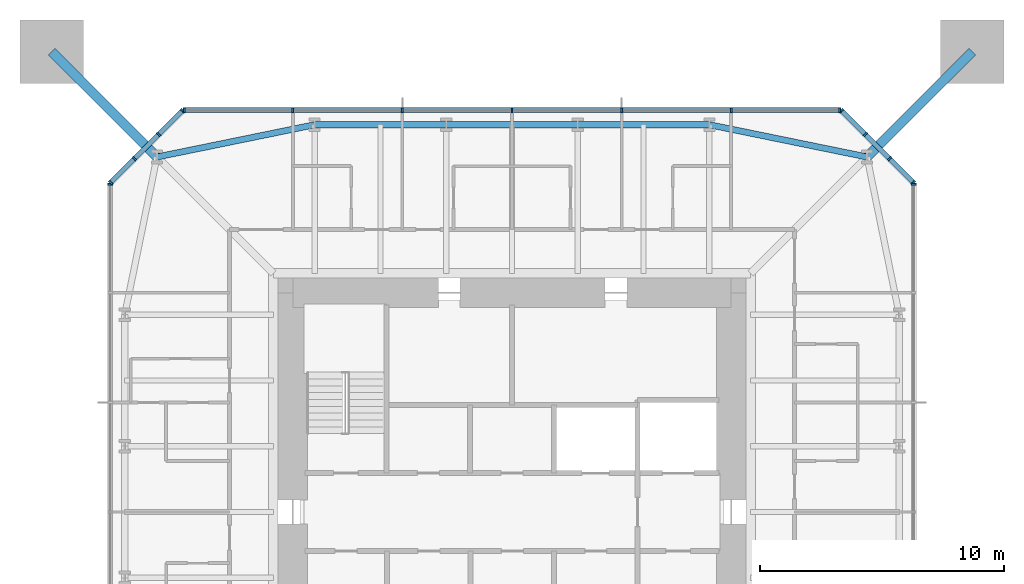
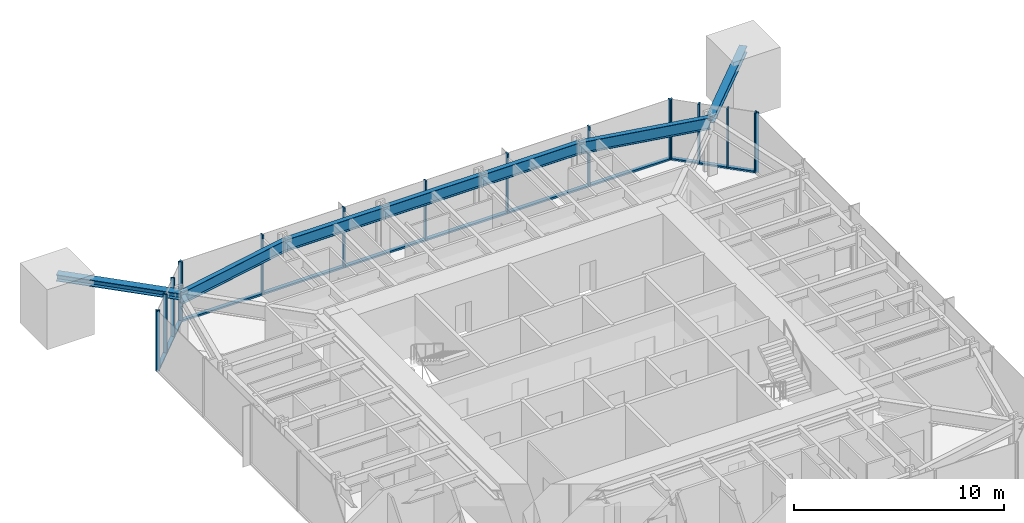
# One storey, part 4 of 10: 31 members, 5 beams, 5 elements without a shape of their own.
"""IFC4 building model written with IfcOpenShell, lengths in metres."""

from ifc_helpers import new_model, si_unit, direction, frame, origin, origin_2d, place, context, subcontext, project, spatial, rectangle, i_section, extrude, material, material_profile, profile_set, type_object, element, aggregate, save


model = new_model("IFC4")

# Units and contexts
model_context = context("Model", 3, precision=1e-05, world=origin(), true_north=direction((0.0, 1.0)))
body_context = subcontext(model_context, "Body", "Model", "MODEL_VIEW")
ifc_project = project(units=[si_unit("LENGTHUNIT", "METRE"), si_unit("AREAUNIT", "SQUARE_METRE"), si_unit("VOLUMEUNIT", "CUBIC_METRE"), si_unit("PLANEANGLEUNIT", "RADIAN"), si_unit("MASSUNIT", "GRAM", prefix="KILO")], contexts=[model_context])

# Site, building, storey
site_placement = place(None, origin())
site = spatial("IfcSite", under=ifc_project, at=site_placement, CompositionType="ELEMENT")
building_placement = place(site_placement, origin())
building = spatial("IfcBuilding", under=site, at=building_placement, Name="Iwan Alto Co-Living Towers", CompositionType="ELEMENT")
storey_placement = place(building_placement, frame((0.0, 0.0, 225.5)))
storey = spatial("IfcBuildingStorey", under=building, at=storey_placement, Name="L61", CompositionType="ELEMENT", Elevation=225.5)

# Curtain wall, member
ifc_material_1 = material(Name="Bronze aluminium unitised frame", Category="aluminium")
curtain_wall_type_1 = type_object("IfcCurtainWallType", Name="CURTAIN WALL CW-A", PredefinedType="NOTDEFINED", material=ifc_material_1)
curtain_wall_1_placement = place(storey_placement, origin())
curtain_wall_1 = element("IfcCurtainWall", 1, at=curtain_wall_1_placement, inside=storey, type_object=curtain_wall_type_1, Name="T1 curtain wall E L61", PredefinedType="NOTDEFINED")
ifc_material_2 = material(Name="Aluminium 6063-T6 bronze anodised", Category="aluminium")
ifc_material_profile_1 = material_profile(ifc_material_2, rectangle(XDim=0.199951171875, YDim=0.080078125, at=origin_2d()), Name="AL 80X200")
ifc_profile_set_1 = profile_set([ifc_material_profile_1], Name="Aluminium 6063-T6 bronze anodised")
member_type_1 = type_object("IfcMemberType", Name="CW-A MULLION 80X200", PredefinedType="MULLION", material=ifc_profile_set_1)
member_1_placement = place(storey_placement, frame((16.5, 13.4599609375, 0.0), z_axis=(0.0, 0.0, 1.0), x_axis=(-1.0, 0.0, 0.0)))
member_1 = element("IfcMember", 2, at=member_1_placement, type_object=member_type_1, Name="CW-A mullion 7", PredefinedType="MULLION", context=body_context, shape_type="SweptSolid", body=[
    extrude(rectangle(XDim=0.199951171875, YDim=0.080078125, at=origin_2d()), origin(), (0.0, 0.0, 1.0), 3.5),
])
aggregate(curtain_wall_1, [member_1])

# Curtain wall, members
curtain_wall_2_placement = place(storey_placement, origin())
curtain_wall_2 = element("IfcCurtainWall", 3, at=curtain_wall_2_placement, inside=storey, type_object=curtain_wall_type_1, Name="T1 curtain wall N L61", PredefinedType="NOTDEFINED")
member_2_placement = place(storey_placement, frame((13.4599609375, 16.5, 0.0), z_axis=(0.0, 0.0, 1.0), x_axis=(0.0, -1.0, 0.0)))
member_2 = element("IfcMember", 4, at=member_2_placement, type_object=member_type_1, Name="CW-A mullion 1", PredefinedType="MULLION", context=body_context, shape_type="SweptSolid", body=[
    extrude(rectangle(XDim=0.199951171875, YDim=0.080078125, at=origin_2d()), origin(), (0.0, 0.0, 1.0), 3.5),
])
member_3_placement = place(storey_placement, frame((9.0, 16.5, 0.0), z_axis=(0.0, 0.0, 1.0), x_axis=(0.0, -1.0, 0.0)))
member_3 = element("IfcMember", 5, at=member_3_placement, type_object=member_type_1, Name="CW-A mullion 2", PredefinedType="MULLION", context=body_context, shape_type="SweptSolid", body=[
    extrude(rectangle(XDim=0.199951171875, YDim=0.080078125, at=origin_2d()), origin(), (0.0, 0.0, 1.0), 3.5),
])
member_4_placement = place(storey_placement, frame((4.5, 16.5, 0.0), z_axis=(0.0, 0.0, 1.0), x_axis=(0.0, -1.0, 0.0)))
member_4 = element("IfcMember", 6, at=member_4_placement, type_object=member_type_1, Name="CW-A mullion 3", PredefinedType="MULLION", context=body_context, shape_type="SweptSolid", body=[
    extrude(rectangle(XDim=0.199951171875, YDim=0.080078125, at=origin_2d()), origin(), (0.0, 0.0, 1.0), 3.5),
])
member_5_placement = place(storey_placement, frame((0.0, 16.5, 0.0), z_axis=(0.0, 0.0, 1.0), x_axis=(0.0, -1.0, 0.0)))
member_5 = element("IfcMember", 7, at=member_5_placement, type_object=member_type_1, Name="CW-A mullion 4", PredefinedType="MULLION", context=body_context, shape_type="SweptSolid", body=[
    extrude(rectangle(XDim=0.199951171875, YDim=0.080078125, at=origin_2d()), origin(), (0.0, 0.0, 1.0), 3.5),
])
member_6_placement = place(storey_placement, frame((-4.5, 16.5, 0.0), z_axis=(0.0, 0.0, 1.0), x_axis=(0.0, -1.0, 0.0)))
member_6 = element("IfcMember", 8, at=member_6_placement, type_object=member_type_1, Name="CW-A mullion 5", PredefinedType="MULLION", context=body_context, shape_type="SweptSolid", body=[
    extrude(rectangle(XDim=0.199951171875, YDim=0.080078125, at=origin_2d()), origin(), (0.0, 0.0, 1.0), 3.5),
])
member_7_placement = place(storey_placement, frame((-9.0, 16.5, 0.0), z_axis=(0.0, 0.0, 1.0), x_axis=(0.0, -1.0, 0.0)))
member_7 = element("IfcMember", 9, at=member_7_placement, type_object=member_type_1, Name="CW-A mullion 6", PredefinedType="MULLION", context=body_context, shape_type="SweptSolid", body=[
    extrude(rectangle(XDim=0.199951171875, YDim=0.080078125, at=origin_2d()), origin(), (0.0, 0.0, 1.0), 3.5),
])
member_8_placement = place(storey_placement, frame((-13.4599609375, 16.5, 0.0), z_axis=(0.0, 0.0, 1.0), x_axis=(0.0, -1.0, 0.0)))
member_8 = element("IfcMember", 10, at=member_8_placement, type_object=member_type_1, Name="CW-A mullion 7", PredefinedType="MULLION", context=body_context, shape_type="SweptSolid", body=[
    extrude(rectangle(XDim=0.199951171875, YDim=0.080078125, at=origin_2d()), origin(), (0.0, 0.0, 1.0), 3.5),
])

# Curtain wall, member
curtain_wall_3_placement = place(storey_placement, origin())
curtain_wall_3 = element("IfcCurtainWall", 11, at=curtain_wall_3_placement, inside=storey, type_object=curtain_wall_type_1, Name="T1 curtain wall W L61", PredefinedType="NOTDEFINED")
member_9_placement = place(storey_placement, frame((-16.5, 13.4599609375, 0.0), z_axis=(0.0, 0.0, 1.0), x_axis=(1.0, 0.0, 0.0)))
member_9 = element("IfcMember", 12, at=member_9_placement, type_object=member_type_1, Name="CW-A mullion 1", PredefinedType="MULLION", context=body_context, shape_type="SweptSolid", body=[
    extrude(rectangle(XDim=0.199951171875, YDim=0.080078125, at=origin_2d()), origin(), (0.0, 0.0, 1.0), 3.5),
])
aggregate(curtain_wall_3, [member_9])

# Member
ifc_material_3 = material(Name="Aluminium 6063-T6 bronze anodised", Category="aluminium")
ifc_material_profile_2 = material_profile(ifc_material_3, rectangle(XDim=0.199951171875, YDim=0.10009765625, at=origin_2d()), Name="AL 200X100")
ifc_profile_set_2 = profile_set([ifc_material_profile_2], Name="Aluminium 6063-T6 bronze anodised")
member_type_2 = type_object("IfcMemberType", Name="CW-A TRANSOM 200X100", PredefinedType="USERDEFINED", material=ifc_profile_set_2)
member_10_placement = place(storey_placement, frame((13.419921875, 16.5, 0.050048828125), z_axis=(-1.0, 0.0, 0.0), x_axis=(0.0, -1.0, 0.0)))
member_10 = element("IfcMember", 13, at=member_10_placement, type_object=member_type_2, Name="CW-A transom 1.1", ObjectType="TRANSOM", PredefinedType="USERDEFINED", context=body_context, shape_type="SweptSolid", body=[
    extrude(rectangle(XDim=0.199951171875, YDim=0.10009765625, at=origin_2d()), origin(), (0.0, 0.0, 1.0), 4.3798828125),
])

member_11_placement = place(storey_placement, frame((8.9599609375, 16.5, 0.050048828125), z_axis=(-1.0, 0.0, 0.0), x_axis=(0.0, -1.0, 0.0)))
member_11 = element("IfcMember", 14, at=member_11_placement, type_object=member_type_2, Name="CW-A transom 2.1", ObjectType="TRANSOM", PredefinedType="USERDEFINED", context=body_context, shape_type="SweptSolid", body=[
    extrude(rectangle(XDim=0.199951171875, YDim=0.10009765625, at=origin_2d()), origin(), (0.0, 0.0, 1.0), 4.419921875),
])

member_12_placement = place(storey_placement, frame((4.4599609375, 16.5, 0.050048828125), z_axis=(-1.0, 0.0, 0.0), x_axis=(0.0, -1.0, 0.0)))
member_12 = element("IfcMember", 15, at=member_12_placement, type_object=member_type_2, Name="CW-A transom 3.1", ObjectType="TRANSOM", PredefinedType="USERDEFINED", context=body_context, shape_type="SweptSolid", body=[
    extrude(rectangle(XDim=0.199951171875, YDim=0.10009765625, at=origin_2d()), origin(), (0.0, 0.0, 1.0), 4.419921875),
])

member_13_placement = place(storey_placement, frame((-0.0400390625, 16.5, 0.050048828125), z_axis=(-1.0, 0.0, 0.0), x_axis=(0.0, -1.0, 0.0)))
member_13 = element("IfcMember", 16, at=member_13_placement, type_object=member_type_2, Name="CW-A transom 4.1", ObjectType="TRANSOM", PredefinedType="USERDEFINED", context=body_context, shape_type="SweptSolid", body=[
    extrude(rectangle(XDim=0.199951171875, YDim=0.10009765625, at=origin_2d()), origin(), (0.0, 0.0, 1.0), 4.419921875),
])

member_14_placement = place(storey_placement, frame((-4.5400390625, 16.5, 0.050048828125), z_axis=(-1.0, 0.0, 0.0), x_axis=(0.0, -1.0, 0.0)))
member_14 = element("IfcMember", 17, at=member_14_placement, type_object=member_type_2, Name="CW-A transom 5.1", ObjectType="TRANSOM", PredefinedType="USERDEFINED", context=body_context, shape_type="SweptSolid", body=[
    extrude(rectangle(XDim=0.199951171875, YDim=0.10009765625, at=origin_2d()), origin(), (0.0, 0.0, 1.0), 4.419921875),
])

member_15_placement = place(storey_placement, frame((-9.0400390625, 16.5, 0.050048828125), z_axis=(-1.0, 0.0, 0.0), x_axis=(0.0, -1.0, 0.0)))
member_15 = element("IfcMember", 18, at=member_15_placement, type_object=member_type_2, Name="CW-A transom 6.1", ObjectType="TRANSOM", PredefinedType="USERDEFINED", context=body_context, shape_type="SweptSolid", body=[
    extrude(rectangle(XDim=0.199951171875, YDim=0.10009765625, at=origin_2d()), origin(), (0.0, 0.0, 1.0), 4.3798828125),
])

aggregate(curtain_wall_2, [member_2, member_3, member_4, member_5, member_6, member_7, member_8, member_10, member_11, member_12, member_13, member_14, member_15])

# Curtain wall, members
ifc_material_4 = material(Name="Bronze aluminium unitised frame", Category="aluminium")
curtain_wall_type_2 = type_object("IfcCurtainWallType", Name="CURTAIN WALL CW-B", PredefinedType="NOTDEFINED", material=ifc_material_4)
curtain_wall_4_placement = place(storey_placement, origin())
curtain_wall_4 = element("IfcCurtainWall", 19, at=curtain_wall_4_placement, inside=storey, type_object=curtain_wall_type_2, Name="T1 chamfer curtain wall NE L61", PredefinedType="NOTDEFINED")
ifc_material_5 = material(Name="Aluminium 6063-T6 bronze anodised", Category="aluminium")
ifc_material_profile_3 = material_profile(ifc_material_5, rectangle(XDim=0.199951171875, YDim=0.080078125, at=origin_2d()), Name="AL 80X200")
ifc_profile_set_3 = profile_set([ifc_material_profile_3], Name="Aluminium 6063-T6 bronze anodised")
member_type_3 = type_object("IfcMemberType", Name="CW-B MULLION 80X200", PredefinedType="MULLION", material=ifc_profile_set_3)
member_16_placement = place(storey_placement, frame((16.4716796875, 13.5283203125, 0.0), z_axis=(0.0, 0.0, 1.0), x_axis=(-0.707106781187, -0.707106781187, 0.0)))
member_16 = element("IfcMember", 20, at=member_16_placement, type_object=member_type_3, Name="CW-B mullion 1", PredefinedType="MULLION", context=body_context, shape_type="SweptSolid", body=[
    extrude(rectangle(XDim=0.199951171875, YDim=0.080078125, at=origin_2d()), origin(), (0.0, 0.0, 1.0), 3.5),
])
member_17_placement = place(storey_placement, frame((15.5, 14.5, 0.0), z_axis=(0.0, 0.0, 1.0), x_axis=(-0.707106781187, -0.707106781187, 0.0)))
member_17 = element("IfcMember", 21, at=member_17_placement, type_object=member_type_3, Name="CW-B mullion 2", PredefinedType="MULLION", context=body_context, shape_type="SweptSolid", body=[
    extrude(rectangle(XDim=0.199951171875, YDim=0.080078125, at=origin_2d()), origin(), (0.0, 0.0, 1.0), 3.5),
])
member_18_placement = place(storey_placement, frame((14.5, 15.5, 0.0), z_axis=(0.0, 0.0, 1.0), x_axis=(-0.707106781187, -0.707106781187, 0.0)))
member_18 = element("IfcMember", 22, at=member_18_placement, type_object=member_type_3, Name="CW-B mullion 3", PredefinedType="MULLION", context=body_context, shape_type="SweptSolid", body=[
    extrude(rectangle(XDim=0.199951171875, YDim=0.080078125, at=origin_2d()), origin(), (0.0, 0.0, 1.0), 3.5),
])
member_19_placement = place(storey_placement, frame((13.5283203125, 16.4716796875, 0.0), z_axis=(0.0, 0.0, 1.0), x_axis=(-0.707106781187, -0.707106781187, 0.0)))
member_19 = element("IfcMember", 23, at=member_19_placement, type_object=member_type_3, Name="CW-B mullion 4", PredefinedType="MULLION", context=body_context, shape_type="SweptSolid", body=[
    extrude(rectangle(XDim=0.199951171875, YDim=0.080078125, at=origin_2d()), origin(), (0.0, 0.0, 1.0), 3.5),
])

curtain_wall_5_placement = place(storey_placement, origin())
curtain_wall_5 = element("IfcCurtainWall", 24, at=curtain_wall_5_placement, inside=storey, type_object=curtain_wall_type_2, Name="T1 chamfer curtain wall NW L61", PredefinedType="NOTDEFINED")
member_20_placement = place(storey_placement, frame((-13.5283203125, 16.4716796875, 0.0), z_axis=(0.0, 0.0, 1.0), x_axis=(0.707106781187, -0.707106781187, 0.0)))
member_20 = element("IfcMember", 25, at=member_20_placement, type_object=member_type_3, Name="CW-B mullion 1", PredefinedType="MULLION", context=body_context, shape_type="SweptSolid", body=[
    extrude(rectangle(XDim=0.199951171875, YDim=0.080078125, at=origin_2d()), origin(), (0.0, 0.0, 1.0), 3.5),
])
member_21_placement = place(storey_placement, frame((-14.5, 15.5, 0.0), z_axis=(0.0, 0.0, 1.0), x_axis=(0.707106781187, -0.707106781187, 0.0)))
member_21 = element("IfcMember", 26, at=member_21_placement, type_object=member_type_3, Name="CW-B mullion 2", PredefinedType="MULLION", context=body_context, shape_type="SweptSolid", body=[
    extrude(rectangle(XDim=0.199951171875, YDim=0.080078125, at=origin_2d()), origin(), (0.0, 0.0, 1.0), 3.5),
])
member_22_placement = place(storey_placement, frame((-15.5, 14.5, 0.0), z_axis=(0.0, 0.0, 1.0), x_axis=(0.707106781187, -0.707106781187, 0.0)))
member_22 = element("IfcMember", 27, at=member_22_placement, type_object=member_type_3, Name="CW-B mullion 3", PredefinedType="MULLION", context=body_context, shape_type="SweptSolid", body=[
    extrude(rectangle(XDim=0.199951171875, YDim=0.080078125, at=origin_2d()), origin(), (0.0, 0.0, 1.0), 3.5),
])
member_23_placement = place(storey_placement, frame((-16.4716796875, 13.5283203125, 0.0), z_axis=(0.0, 0.0, 1.0), x_axis=(0.707106781187, -0.707106781187, 0.0)))
member_23 = element("IfcMember", 28, at=member_23_placement, type_object=member_type_3, Name="CW-B mullion 4", PredefinedType="MULLION", context=body_context, shape_type="SweptSolid", body=[
    extrude(rectangle(XDim=0.199951171875, YDim=0.080078125, at=origin_2d()), origin(), (0.0, 0.0, 1.0), 3.5),
])

# Member
ifc_material_6 = material(Name="Aluminium 6063-T6 bronze anodised", Category="aluminium")
ifc_material_profile_4 = material_profile(ifc_material_6, rectangle(XDim=0.199951171875, YDim=0.10009765625, at=origin_2d()), Name="AL 200X100")
ifc_profile_set_4 = profile_set([ifc_material_profile_4], Name="Aluminium 6063-T6 bronze anodised")
member_type_4 = type_object("IfcMemberType", Name="CW-B TRANSOM 200X100", PredefinedType="USERDEFINED", material=ifc_profile_set_4)
member_24_placement = place(storey_placement, frame((16.443359375, 13.556640625, 0.050048828125), z_axis=(-0.707106781187, 0.707106781187, 0.0), x_axis=(-0.707106781187, -0.707106781187, 0.0)))
member_24 = element("IfcMember", 29, at=member_24_placement, type_object=member_type_4, Name="CW-B transom 1.1", ObjectType="TRANSOM", PredefinedType="USERDEFINED", context=body_context, shape_type="SweptSolid", body=[
    extrude(rectangle(XDim=0.199951171875, YDim=0.10009765625, at=origin_2d()), origin(), (0.0, 0.0, 1.0), 1.2939453125),
])

member_25_placement = place(storey_placement, frame((15.4716796875, 14.5283203125, 0.050048828125), z_axis=(-0.707106781187, 0.707106781187, 0.0), x_axis=(-0.707106781187, -0.707106781187, 0.0)))
member_25 = element("IfcMember", 30, at=member_25_placement, type_object=member_type_4, Name="CW-B transom 2.1", ObjectType="TRANSOM", PredefinedType="USERDEFINED", context=body_context, shape_type="SweptSolid", body=[
    extrude(rectangle(XDim=0.199951171875, YDim=0.10009765625, at=origin_2d()), origin(), (0.0, 0.0, 1.0), 1.334228515625),
])

member_26_placement = place(storey_placement, frame((14.4716796875, 15.5283203125, 0.050048828125), z_axis=(-0.707106781187, 0.707106781187, 0.0), x_axis=(-0.707106781187, -0.707106781187, 0.0)))
member_26 = element("IfcMember", 31, at=member_26_placement, type_object=member_type_4, Name="CW-B transom 3.1", ObjectType="TRANSOM", PredefinedType="USERDEFINED", context=body_context, shape_type="SweptSolid", body=[
    extrude(rectangle(XDim=0.199951171875, YDim=0.10009765625, at=origin_2d()), origin(), (0.0, 0.0, 1.0), 1.2939453125),
])

aggregate(curtain_wall_4, [member_16, member_17, member_18, member_19, member_24, member_25, member_26])

member_27_placement = place(storey_placement, frame((-13.556640625, 16.443359375, 0.050048828125), z_axis=(-0.707106781187, -0.707106781187, 0.0), x_axis=(0.707106781187, -0.707106781187, 0.0)))
member_27 = element("IfcMember", 32, at=member_27_placement, type_object=member_type_4, Name="CW-B transom 1.1", ObjectType="TRANSOM", PredefinedType="USERDEFINED", context=body_context, shape_type="SweptSolid", body=[
    extrude(rectangle(XDim=0.199951171875, YDim=0.10009765625, at=origin_2d()), origin(), (0.0, 0.0, 1.0), 1.2939453125),
])

member_28_placement = place(storey_placement, frame((-14.5283203125, 15.4716796875, 0.050048828125), z_axis=(-0.707106781187, -0.707106781187, 0.0), x_axis=(0.707106781187, -0.707106781187, 0.0)))
member_28 = element("IfcMember", 33, at=member_28_placement, type_object=member_type_4, Name="CW-B transom 2.1", ObjectType="TRANSOM", PredefinedType="USERDEFINED", context=body_context, shape_type="SweptSolid", body=[
    extrude(rectangle(XDim=0.199951171875, YDim=0.10009765625, at=origin_2d()), origin(), (0.0, 0.0, 1.0), 1.334228515625),
])

member_29_placement = place(storey_placement, frame((-15.5283203125, 14.4716796875, 0.050048828125), z_axis=(-0.707106781187, -0.707106781187, 0.0), x_axis=(0.707106781187, -0.707106781187, 0.0)))
member_29 = element("IfcMember", 34, at=member_29_placement, type_object=member_type_4, Name="CW-B transom 3.1", ObjectType="TRANSOM", PredefinedType="USERDEFINED", context=body_context, shape_type="SweptSolid", body=[
    extrude(rectangle(XDim=0.199951171875, YDim=0.10009765625, at=origin_2d()), origin(), (0.0, 0.0, 1.0), 1.2939453125),
])

aggregate(curtain_wall_5, [member_20, member_21, member_22, member_23, member_27, member_28, member_29])

# Beams
ifc_material_7 = material(Name="Steel ASTM A992 Gr 50", Category="steel")
ifc_material_profile_5 = material_profile(ifc_material_7, i_section(OverallWidth=0.25390625, OverallDepth=0.683349609375, WebThickness=0.012451171875, FlangeThickness=0.018798828125, at=origin_2d()), Name="W27X94")
ifc_profile_set_5 = profile_set([ifc_material_profile_5], Name="Steel ASTM A992 Gr 50")
beam_type = type_object("IfcBeamType", Name="T1 EDGE BEAM W27X94", PredefinedType="BEAM", material=ifc_profile_set_5)
beam_1_placement = place(storey_placement, frame((14.57568359375, 14.57568359375, 2.928466796875), z_axis=(-0.979724820103, 0.200347889618, 0.0), x_axis=(-0.200347889618, -0.979724820103, 0.0)))
element("IfcBeam", 35, at=beam_1_placement, inside=storey, type_object=beam_type, Name="T1 edge beam CNE L62", PredefinedType="BEAM", context=body_context, shape_type="SweptSolid", body=[
    extrude(i_section(OverallWidth=0.25390625, OverallDepth=0.683349609375, WebThickness=0.012451171875, FlangeThickness=0.018798828125, at=origin_2d()), origin(), (0.0, 0.0, 1.0), 6.609619140625),
])
beam_2_placement = place(storey_placement, frame((8.10009765625, 15.89990234375, 2.928466796875), z_axis=(-1.0, 0.0, 0.0), x_axis=(0.0, -1.0, 0.0)))
element("IfcBeam", 36, at=beam_2_placement, inside=storey, type_object=beam_type, Name="T1 edge beam N1 L62", PredefinedType="BEAM", context=body_context, shape_type="SweptSolid", body=[
    extrude(i_section(OverallWidth=0.25390625, OverallDepth=0.683349609375, WebThickness=0.012451171875, FlangeThickness=0.018798828125, at=origin_2d()), origin(), (0.0, 0.0, 1.0), 5.400146484375),
])
beam_3_placement = place(storey_placement, frame((2.699951171875, 15.89990234375, 2.928466796875), z_axis=(-1.0, 0.0, 0.0), x_axis=(0.0, -1.0, 0.0)))
element("IfcBeam", 37, at=beam_3_placement, inside=storey, type_object=beam_type, Name="T1 edge beam N2 L62", PredefinedType="BEAM", context=body_context, shape_type="SweptSolid", body=[
    extrude(i_section(OverallWidth=0.25390625, OverallDepth=0.683349609375, WebThickness=0.012451171875, FlangeThickness=0.018798828125, at=origin_2d()), origin(), (0.0, 0.0, 1.0), 5.39990234375),
])
beam_4_placement = place(storey_placement, frame((-2.699951171875, 15.89990234375, 2.928466796875), z_axis=(-1.0, 0.0, 0.0), x_axis=(0.0, -1.0, 0.0)))
element("IfcBeam", 38, at=beam_4_placement, inside=storey, type_object=beam_type, Name="T1 edge beam N3 L62", PredefinedType="BEAM", context=body_context, shape_type="SweptSolid", body=[
    extrude(i_section(OverallWidth=0.25390625, OverallDepth=0.683349609375, WebThickness=0.012451171875, FlangeThickness=0.018798828125, at=origin_2d()), origin(), (0.0, 0.0, 1.0), 5.400146484375),
])
beam_5_placement = place(storey_placement, frame((-8.10009765625, 15.89990234375, 2.928466796875), z_axis=(-0.979724820103, -0.200347889618, 0.0), x_axis=(0.200347889618, -0.979724820103, 0.0)))
element("IfcBeam", 39, at=beam_5_placement, inside=storey, type_object=beam_type, Name="T1 edge beam N4 L62", PredefinedType="BEAM", context=body_context, shape_type="SweptSolid", body=[
    extrude(i_section(OverallWidth=0.25390625, OverallDepth=0.683349609375, WebThickness=0.012451171875, FlangeThickness=0.018798828125, at=origin_2d()), origin(), (0.0, 0.0, 1.0), 6.609619140625),
])

# Members
ifc_material_8 = material(Name="Steel ASTM A992 Gr 50", Category="steel")
ifc_material_profile_6 = material_profile(ifc_material_8, i_section(OverallWidth=0.393798828125, OverallDepth=0.3759765625, WebThickness=0.017333984375, FlangeThickness=0.027587890625, at=origin_2d()), Name="W14X145")
ifc_profile_set_6 = profile_set([ifc_material_profile_6], Name="Steel ASTM A992 Gr 50")
member_type_5 = type_object("IfcMemberType", Name="T1 MEGA COLUMN FLOOR TIE W14X145", PredefinedType="STRUT", material=ifc_profile_set_6)
for number, where, z_axis, x_axis, name in (
    (40, (18.89990234375, 18.89990234375, 3.08203125), (-0.707106781187, -0.707106781187, 0.0), (0.707106781187, -0.707106781187, 0.0), "T1 mega column floor tie NE L62"),
    (41, (-18.89990234375, 18.89990234375, 3.08203125), (0.707106781187, -0.707106781187, 0.0), (0.707106781187, 0.707106781187, 0.0), "T1 mega column floor tie NW L62"),
):
    element("IfcMember", number, at=place(storey_placement, frame(where, z_axis=z_axis, x_axis=x_axis)), inside=storey, type_object=member_type_5, Name=name, PredefinedType="STRUT", context=body_context, shape_type="SweptSolid", body=[
        extrude(i_section(OverallWidth=0.393798828125, OverallDepth=0.3759765625, WebThickness=0.017333984375, FlangeThickness=0.027587890625, at=origin_2d()), origin(), (0.0, 0.0, 1.0), 6.115478515625),
    ])

save(model, "model.ifc")
